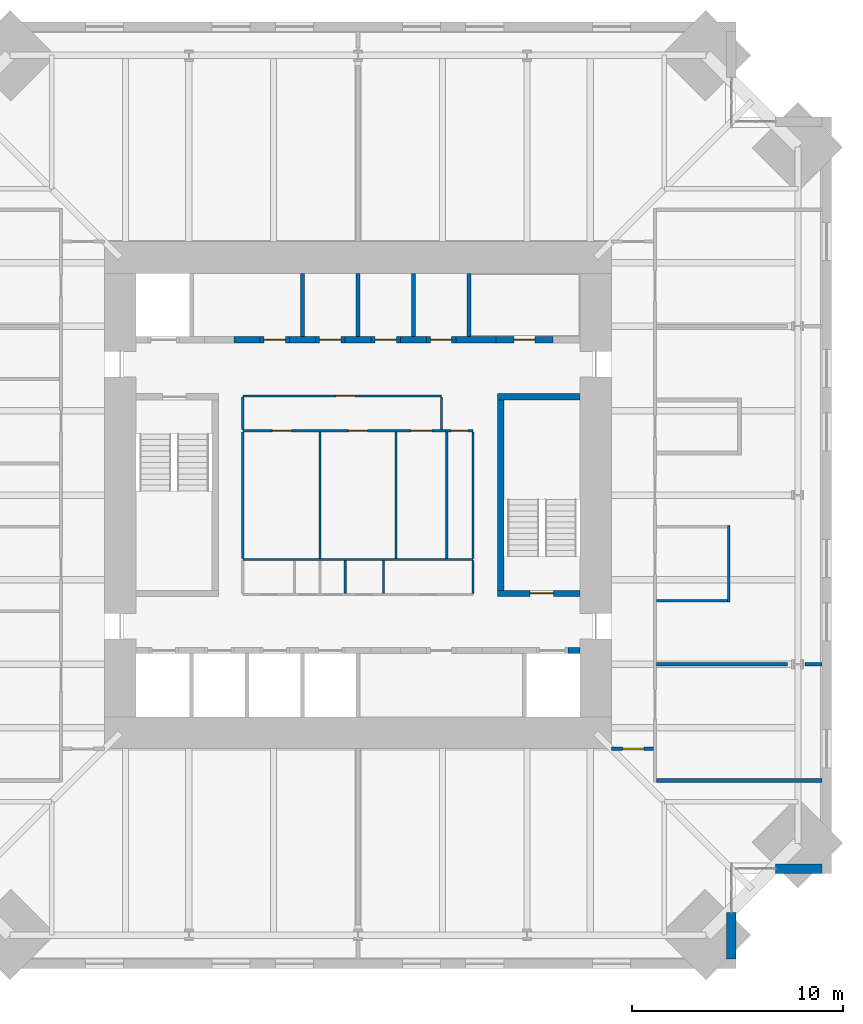
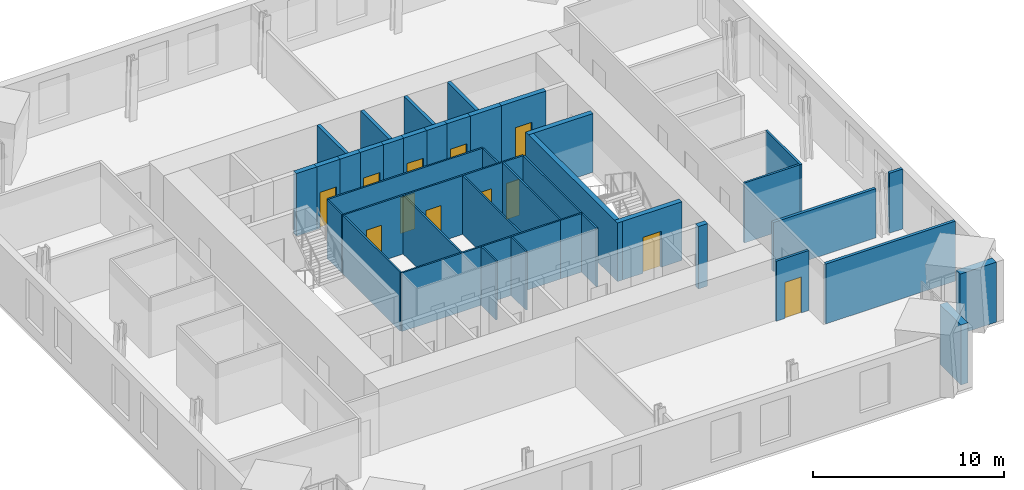
# One storey, part 15 of 18: 41 walls, 12 doors, 12 openings.
"""IFC4 building model written with IfcOpenShell, lengths in metres."""

from ifc_helpers import new_model, si_unit, direction, frame, frame_2d, origin, place, context, subcontext, project, spatial, rectangle, extrude, material, layer, layer_set, type_object, element, fill, save


model = new_model("IFC4")

# Units and contexts
model_context = context("Model", 3, precision=1e-05, world=origin(), true_north=direction((0.0, 1.0)))
body_context = subcontext(model_context, "Body", "Model", "MODEL_VIEW")
ifc_project = project(units=[si_unit("LENGTHUNIT", "METRE"), si_unit("AREAUNIT", "SQUARE_METRE"), si_unit("VOLUMEUNIT", "CUBIC_METRE"), si_unit("PLANEANGLEUNIT", "RADIAN"), si_unit("MASSUNIT", "GRAM", prefix="KILO")], contexts=[model_context])

# Site, building, storey
site_placement = place(None, origin())
site = spatial("IfcSite", under=ifc_project, at=site_placement, CompositionType="ELEMENT")
building_placement = place(site_placement, origin())
building = spatial("IfcBuilding", under=site, at=building_placement, Name="Peilmerk Tower", CompositionType="ELEMENT")
storey_placement = place(building_placement, frame((0.0, 0.0, 249.800048828125)))
storey = spatial("IfcBuildingStorey", under=building, at=storey_placement, Name="L55", CompositionType="ELEMENT", Elevation=249.800048828125)

# Walls
ifc_material_1 = material(Name="Precast concrete C45/55, board-marked finish", Category="concrete")
ifc_layer_1 = layer(ifc_material_1, 0.449951171875)
ifc_layer_set_1 = layer_set([ifc_layer_1], Name="Precast concrete C45/55, board-marked finish")
wall_type_1 = type_object("IfcWallType", Name="EW1 450 precast concrete facade wall, board-marked", PredefinedType="SOLIDWALL", material=ifc_layer_set_1)
for number, where, z_axis, x_axis, name in (
    (1, (17.675048828125, -19.753662109375, 0.0), (0.0, 0.0, 1.0), (0.0, -1.0, 0.0), "Facade wall SEA L55"),
    (2, (19.753662109375, -17.675048828125, 0.0), (0.0, 0.0, 1.0), (1.0, 0.0, 0.0), "Facade wall SEB L55"),
):
    element("IfcWall", number, at=place(storey_placement, frame(where, z_axis=z_axis, x_axis=x_axis)), inside=storey, type_object=wall_type_1, Name=name, PredefinedType="SOLIDWALL", context=body_context, shape_type="SweptSolid", body=[
        extrude(rectangle(XDim=2.1962890625, YDim=0.449951171875, at=frame_2d((1.09814453125, 0.0))), origin(), (0.0, 0.0, 1.0), 3.829833984375),
    ])

# Wall, opening, door
ifc_material_2 = material(Name="Calcium silicate block", Category="masonry")
ifc_layer_2 = layer(ifc_material_2, 0.14990234375)
ifc_layer_set_2 = layer_set([ifc_layer_2], Name="Calcium silicate block")
wall_type_2 = type_object("IfcWallType", Name="IW1 150 corridor partition, EI 60", PredefinedType="PARTITIONING", material=ifc_layer_set_2)
wall_1_placement = place(storey_placement, frame((13.97509765625, -12.0, 0.0), z_axis=(0.0, 0.0, 1.0), x_axis=(-1.0, 0.0, 0.0)))
wall_1 = element("IfcWall", 3, at=wall_1_placement, inside=storey, type_object=wall_type_2, Name="Corridor wall SE L55", PredefinedType="PARTITIONING", context=body_context, shape_type="SweptSolid", body=[
    extrude(rectangle(XDim=1.97509765625, YDim=0.14990234375, at=frame_2d((0.987548828125, 0.0))), origin(), (0.0, 0.0, 1.0), 3.829833984375),
])
opening_1_placement = place(wall_1_placement, frame((0.449951171875, 0.0, 0.0)))
opening_1 = element("IfcOpeningElement", 4, at=opening_1_placement, cuts=wall_1, Name="Opening D1", PredefinedType="OPENING", context=body_context, shape_type="SweptSolid", body=[
    extrude(rectangle(XDim=1.0, YDim=2.300048828125, at=frame_2d((0.5, 1.14990234375))), frame((0.0, 0.0849609375, 0.0), z_axis=(0.0, -1.0, 0.0), x_axis=(1.0, 0.0, 0.0)), (0.0, 0.0, 1.0), 0.169921875),
])
ifc_material_3 = material(Name="Timber door in steel frame", Category="steel")
door_type_1 = type_object("IfcDoorType", Name="D1 1000x2300 room door, EI2 30", OperationType="SINGLE_SWING_LEFT", PredefinedType="DOOR", material=ifc_material_3)
door_1_placement = place(opening_1_placement, origin())
door_1 = element("IfcDoor", 5, at=door_1_placement, inside=storey, type_object=door_type_1, Name="Door Tenant suite L55", OperationType="SINGLE_SWING_LEFT", OverallHeight=2.300048828125, OverallWidth=1.0, PredefinedType="DOOR", context=body_context, shape_type="SweptSolid", body=[
    extrude(rectangle(XDim=1.0, YDim=2.300048828125, at=frame_2d((0.5, 1.14990234375))), frame((0.0, 0.02490234375, 0.0), z_axis=(0.0, -1.0, 0.0), x_axis=(1.0, 0.0, 0.0)), (0.0, 0.0, 1.0), 0.050048828125),
])
fill(opening_1, door_1)

# Walls
ifc_material_4 = material(Name="Concrete C35/45", Category="concrete")
ifc_layer_3 = layer(ifc_material_4, 0.300048828125)
ifc_layer_set_3 = layer_set([ifc_layer_3], Name="Concrete C35/45")
wall_type_3 = type_object("IfcWallType", Name="IW3 300 concrete stair enclosure wall, EI 120", PredefinedType="SOLIDWALL", material=ifc_layer_set_3)
wall_2_placement = place(storey_placement, frame((6.75, -4.800048828125, 0.0), z_axis=(0.0, 0.0, 1.0), x_axis=(0.0, 1.0, 0.0)))
element("IfcWall", 6, at=wall_2_placement, inside=storey, type_object=wall_type_3, Name="Stair 2 enclosure L55", PredefinedType="SOLIDWALL", context=body_context, shape_type="SweptSolid", body=[
    extrude(rectangle(XDim=9.60009765625, YDim=0.300048828125, at=frame_2d((4.800048828125, 0.0))), origin(), (0.0, 0.0, 1.0), 3.75),
])
wall_3_placement = place(storey_placement, frame((6.60009765625, 4.64990234375, 0.0), z_axis=(0.0, 0.0, 1.0), x_axis=(1.0, 0.0, 0.0)))
element("IfcWall", 7, at=wall_3_placement, inside=storey, type_object=wall_type_3, Name="Stair 2 enclosure L55", PredefinedType="SOLIDWALL", context=body_context, shape_type="SweptSolid", body=[
    extrude(rectangle(XDim=3.89990234375, YDim=0.300048828125, at=frame_2d((1.949951171875, 0.0))), origin(), (0.0, 0.0, 1.0), 3.75),
])

# Wall, opening, door
wall_4_placement = place(storey_placement, frame((10.5, -4.64990234375, 0.0), z_axis=(0.0, 0.0, 1.0), x_axis=(-1.0, 0.0, 0.0)))
wall_4 = element("IfcWall", 8, at=wall_4_placement, inside=storey, type_object=wall_type_3, Name="Stair 2 enclosure L55", PredefinedType="SOLIDWALL", context=body_context, shape_type="SweptSolid", body=[
    extrude(rectangle(XDim=3.89990234375, YDim=0.300048828125, at=frame_2d((1.949951171875, 0.0))), origin(), (0.0, 0.0, 1.0), 3.75),
])
opening_2_placement = place(wall_4_placement, frame((1.25, 0.0, 0.0)))
opening_2 = element("IfcOpeningElement", 9, at=opening_2_placement, cuts=wall_4, Name="Opening D4", PredefinedType="OPENING", context=body_context, shape_type="SweptSolid", body=[
    extrude(rectangle(XDim=1.10009765625, YDim=2.300048828125, at=frame_2d((0.550048828125, 1.14990234375))), frame((0.0, 0.159912109375, 0.0), z_axis=(0.0, -1.0, 0.0), x_axis=(1.0, 0.0, 0.0)), (0.0, 0.0, 1.0), 0.320068359375),
])
ifc_material_5 = material(Name="Steel door in steel frame", Category="steel")
door_type_2 = type_object("IfcDoorType", Name="D4 1100x2300 stair door, EI2 60", OperationType="SINGLE_SWING_RIGHT", PredefinedType="DOOR", material=ifc_material_5)
door_2_placement = place(opening_2_placement, frame((1.10009765625, 0.0, 0.0), z_axis=(0.0, 0.0, 1.0), x_axis=(-1.0, 0.0, 0.0)))
door_2 = element("IfcDoor", 10, at=door_2_placement, inside=storey, type_object=door_type_2, Name="Stair 2 door L55", OperationType="SINGLE_SWING_RIGHT", OverallHeight=2.300048828125, OverallWidth=1.10009765625, PredefinedType="DOOR", context=body_context, shape_type="SweptSolid", body=[
    extrude(rectangle(XDim=1.10009765625, YDim=2.300048828125, at=frame_2d((0.550048828125, 1.14990234375))), frame((0.0, 0.02490234375, 0.0), z_axis=(0.0, -1.0, 0.0), x_axis=(1.0, 0.0, 0.0)), (0.0, 0.0, 1.0), 0.050048828125),
])
fill(opening_2, door_2)

# Wall, openings, doors
ifc_material_6 = material(Name="Plasterboard on steel studs", Category="steel")
ifc_layer_4 = layer(ifc_material_6, 0.10009765625)
ifc_layer_set_4 = layer_set([ifc_layer_4], Name="Plasterboard on steel studs")
wall_type_4 = type_object("IfcWallType", Name="IW4 100 WC partition", PredefinedType="PARTITIONING", material=ifc_layer_set_4)
wall_5_placement = place(storey_placement, frame((-5.449951171875, 3.050048828125, 0.0), z_axis=(0.0, 0.0, 1.0), x_axis=(1.0, 0.0, 0.0)))
wall_5 = element("IfcWall", 11, at=wall_5_placement, inside=storey, type_object=wall_type_4, Name="WC wall L55", PredefinedType="PARTITIONING", context=body_context, shape_type="SweptSolid", body=[
    extrude(rectangle(XDim=9.599853515625, YDim=0.10009765625, at=frame_2d((4.7998046875, 0.0))), origin(), (0.0, 0.0, 1.0), 3.75),
])
opening_3_placement = place(wall_5_placement, frame((1.39990234375, 0.0, 0.0)))
opening_3 = element("IfcOpeningElement", 12, at=opening_3_placement, cuts=wall_5, Name="Opening D5", PredefinedType="OPENING", context=body_context, shape_type="SweptSolid", body=[
    extrude(rectangle(XDim=0.89990234375, YDim=2.300048828125, at=frame_2d((0.449951171875, 1.14990234375))), frame((0.0, 0.06005859375, 0.0), z_axis=(0.0, -1.0, 0.0), x_axis=(1.0, 0.0, 0.0)), (0.0, 0.0, 1.0), 0.1201171875),
])
opening_4_placement = place(wall_5_placement, frame((5.0, 0.0, 0.0)))
opening_4 = element("IfcOpeningElement", 13, at=opening_4_placement, cuts=wall_5, Name="Opening D5", PredefinedType="OPENING", context=body_context, shape_type="SweptSolid", body=[
    extrude(rectangle(XDim=0.89990234375, YDim=2.300048828125, at=frame_2d((0.449951171875, 1.14990234375))), frame((0.0, 0.06005859375, 0.0), z_axis=(0.0, -1.0, 0.0), x_axis=(1.0, 0.0, 0.0)), (0.0, 0.0, 1.0), 0.1201171875),
])
opening_5_placement = place(wall_5_placement, frame((7.949951171875, 0.0, 0.0)))
opening_5 = element("IfcOpeningElement", 14, at=opening_5_placement, cuts=wall_5, Name="Opening D6", PredefinedType="OPENING", context=body_context, shape_type="SweptSolid", body=[
    extrude(rectangle(XDim=1.0, YDim=2.300048828125, at=frame_2d((0.5, 1.14990234375))), frame((0.0, 0.06005859375, 0.0), z_axis=(0.0, -1.0, 0.0), x_axis=(1.0, 0.0, 0.0)), (0.0, 0.0, 1.0), 0.1201171875),
])
door_type_3 = type_object("IfcDoorType", Name="D5 900x2300 WC door", OperationType="SINGLE_SWING_LEFT", PredefinedType="DOOR", material=ifc_material_3)
door_3_placement = place(opening_3_placement, frame((0.89990234375, 0.0, 0.0), z_axis=(0.0, 0.0, 1.0), x_axis=(-1.0, 0.0, 0.0)))
door_3 = element("IfcDoor", 15, at=door_3_placement, inside=storey, type_object=door_type_3, Name="Male toilets door L55", OperationType="SINGLE_SWING_LEFT", OverallHeight=2.300048828125, OverallWidth=0.89990234375, PredefinedType="DOOR", context=body_context, shape_type="SweptSolid", body=[
    extrude(rectangle(XDim=0.89990234375, YDim=2.300048828125, at=frame_2d((0.449951171875, 1.14990234375))), frame((0.0, 0.02490234375, 0.0), z_axis=(0.0, -1.0, 0.0), x_axis=(1.0, 0.0, 0.0)), (0.0, 0.0, 1.0), 0.050048828125),
])
fill(opening_3, door_3)
door_4_placement = place(opening_4_placement, frame((0.89990234375, 0.0, 0.0), z_axis=(0.0, 0.0, 1.0), x_axis=(-1.0, 0.0, 0.0)))
door_4 = element("IfcDoor", 16, at=door_4_placement, inside=storey, type_object=door_type_3, Name="Female toilets door L55", OperationType="SINGLE_SWING_LEFT", OverallHeight=2.300048828125, OverallWidth=0.89990234375, PredefinedType="DOOR", context=body_context, shape_type="SweptSolid", body=[
    extrude(rectangle(XDim=0.89990234375, YDim=2.300048828125, at=frame_2d((0.449951171875, 1.14990234375))), frame((0.0, 0.02490234375, 0.0), z_axis=(0.0, -1.0, 0.0), x_axis=(1.0, 0.0, 0.0)), (0.0, 0.0, 1.0), 0.050048828125),
])
fill(opening_4, door_4)
door_type_4 = type_object("IfcDoorType", Name="D6 1000x2300 accessible WC door", OperationType="SLIDING_TO_LEFT", PredefinedType="DOOR", material=ifc_material_3)
door_5_placement = place(opening_5_placement, frame((1.0, 0.0, 0.0), z_axis=(0.0, 0.0, 1.0), x_axis=(-1.0, 0.0, 0.0)))
door_5 = element("IfcDoor", 17, at=door_5_placement, inside=storey, type_object=door_type_4, Name="Accessible WC door L55", OperationType="SLIDING_TO_LEFT", OverallHeight=2.300048828125, OverallWidth=1.0, PredefinedType="DOOR", context=body_context, shape_type="SweptSolid", body=[
    extrude(rectangle(XDim=1.0, YDim=2.300048828125, at=frame_2d((0.5, 1.14990234375))), frame((0.0, 0.02490234375, 0.0), z_axis=(0.0, -1.0, 0.0), x_axis=(1.0, 0.0, 0.0)), (0.0, 0.0, 1.0), 0.050048828125),
])
fill(opening_5, door_5)

# Walls
wall_6_placement = place(storey_placement, frame((4.14990234375, -3.050048828125, 0.0), z_axis=(0.0, 0.0, 1.0), x_axis=(-1.0, 0.0, 0.0)))
element("IfcWall", 18, at=wall_6_placement, inside=storey, type_object=wall_type_4, Name="WC wall L55", PredefinedType="PARTITIONING", context=body_context, shape_type="SweptSolid", body=[
    extrude(rectangle(XDim=9.599853515625, YDim=0.10009765625, at=frame_2d((4.7998046875, 0.0))), origin(), (0.0, 0.0, 1.0), 3.75),
])
for number, where, z_axis, x_axis, name in (
    (19, (-5.449951171875, -3.0, 0.0), (0.0, 0.0, 1.0), (0.0, 1.0, 0.0), "WC wall L55"),
    (20, (-1.800048828125, -3.0, 0.0), (0.0, 0.0, 1.0), (0.0, 1.0, 0.0), "WC wall L55"),
    (21, (1.800048828125, -3.0, 0.0), (0.0, 0.0, 1.0), (0.0, 1.0, 0.0), "WC wall L55"),
):
    element("IfcWall", number, at=place(storey_placement, frame(where, z_axis=z_axis, x_axis=x_axis)), inside=storey, type_object=wall_type_4, Name=name, PredefinedType="PARTITIONING", context=body_context, shape_type="SweptSolid", body=[
        extrude(rectangle(XDim=6.0, YDim=0.10009765625, at=frame_2d((3.0, 0.0))), origin(), (0.0, 0.0, 1.0), 3.75),
    ])

# Wall, opening, door
ifc_material_7 = material(Name="Calcium silicate board on steel studs", Category="steel")
ifc_layer_5 = layer(ifc_material_7, 0.10009765625)
ifc_layer_set_5 = layer_set([ifc_layer_5], Name="Calcium silicate board on steel studs")
wall_type_5 = type_object("IfcWallType", Name="IW5 100 riser enclosure wall, EI 60", PredefinedType="PARTITIONING", material=ifc_layer_set_5)
wall_7_placement = place(storey_placement, frame((4.14990234375, 3.050048828125, 0.0), z_axis=(0.0, 0.0, 1.0), x_axis=(1.0, 0.0, 0.0)))
wall_7 = element("IfcWall", 22, at=wall_7_placement, inside=storey, type_object=wall_type_5, Name="Riser wall L55", PredefinedType="PARTITIONING", context=body_context, shape_type="SweptSolid", body=[
    extrude(rectangle(XDim=1.300048828125, YDim=0.10009765625, at=frame_2d((0.64990234375, 0.0))), origin(), (0.0, 0.0, 1.0), 3.75),
])
opening_6_placement = place(wall_7_placement, frame((0.25, 0.0, 0.0)))
opening_6 = element("IfcOpeningElement", 23, at=opening_6_placement, cuts=wall_7, Name="Opening D7", PredefinedType="OPENING", context=body_context, shape_type="SweptSolid", body=[
    extrude(rectangle(XDim=0.800048828125, YDim=2.300048828125, at=frame_2d((0.39990234375, 1.14990234375))), frame((0.0, 0.06005859375, 0.0), z_axis=(0.0, -1.0, 0.0), x_axis=(1.0, 0.0, 0.0)), (0.0, 0.0, 1.0), 0.1201171875),
])
door_type_5 = type_object("IfcDoorType", Name="D7 800x2300 riser access door, EI2 60", OperationType="SINGLE_SWING_RIGHT", PredefinedType="DOOR", material=ifc_material_5)
door_6_placement = place(opening_6_placement, frame((0.800048828125, 0.0, 0.0), z_axis=(0.0, 0.0, 1.0), x_axis=(-1.0, 0.0, 0.0)))
door_6 = element("IfcDoor", 24, at=door_6_placement, inside=storey, type_object=door_type_5, Name="Plumbing riser door L55", OperationType="SINGLE_SWING_RIGHT", OverallHeight=2.300048828125, OverallWidth=0.800048828125, PredefinedType="DOOR", context=body_context, shape_type="SweptSolid", body=[
    extrude(rectangle(XDim=0.800048828125, YDim=2.300048828125, at=frame_2d((0.39990234375, 1.14990234375))), frame((0.0, 0.02490234375, 0.0), z_axis=(0.0, -1.0, 0.0), x_axis=(1.0, 0.0, 0.0)), (0.0, 0.0, 1.0), 0.050048828125),
])
fill(opening_6, door_6)

# Walls
wall_8_placement = place(storey_placement, frame((5.449951171875, -3.050048828125, 0.0), z_axis=(0.0, 0.0, 1.0), x_axis=(-1.0, 0.0, 0.0)))
element("IfcWall", 25, at=wall_8_placement, inside=storey, type_object=wall_type_5, Name="Riser wall L55", PredefinedType="PARTITIONING", context=body_context, shape_type="SweptSolid", body=[
    extrude(rectangle(XDim=1.300048828125, YDim=0.10009765625, at=frame_2d((0.64990234375, 0.0))), origin(), (0.0, 0.0, 1.0), 3.75),
])
for number, where, z_axis, x_axis, name in (
    (26, (5.449951171875, 3.0, 0.0), (0.0, 0.0, 1.0), (0.0, -1.0, 0.0), "Riser wall L55"),
    (27, (4.199951171875, -3.0, 0.0), (0.0, 0.0, 1.0), (0.0, 1.0, 0.0), "Riser wall L55"),
):
    element("IfcWall", number, at=place(storey_placement, frame(where, z_axis=z_axis, x_axis=x_axis)), inside=storey, type_object=wall_type_5, Name=name, PredefinedType="PARTITIONING", context=body_context, shape_type="SweptSolid", body=[
        extrude(rectangle(XDim=6.0, YDim=0.10009765625, at=frame_2d((3.0, 0.0))), origin(), (0.0, 0.0, 1.0), 3.75),
    ])
for number, where, z_axis, x_axis, name in (
    (28, (5.449951171875, -3.10009765625, 0.0), (0.0, 0.0, 1.0), (0.0, -1.0, 0.0), "Riser wall L55"),
    (29, (-0.60009765625, -3.10009765625, 0.0), (0.0, 0.0, 1.0), (0.0, -1.0, 0.0), "Riser wall L55"),
    (30, (1.199951171875, -3.10009765625, 0.0), (0.0, 0.0, 1.0), (0.0, -1.0, 0.0), "Riser wall L55"),
):
    element("IfcWall", number, at=place(storey_placement, frame(where, z_axis=z_axis, x_axis=x_axis)), inside=storey, type_object=wall_type_5, Name=name, PredefinedType="PARTITIONING", context=body_context, shape_type="SweptSolid", body=[
        extrude(rectangle(XDim=1.5498046875, YDim=0.10009765625, at=frame_2d((0.77490234375, 0.0))), origin(), (0.0, 0.0, 1.0), 3.75),
    ])
ifc_material_8 = material(Name="Plasterboard on steel studs, double boarded with mineral wool", Category="steel")
ifc_layer_6 = layer(ifc_material_8, 0.125)
ifc_layer_set_6 = layer_set([ifc_layer_6], Name="Plasterboard on steel studs, double boarded with mineral wool")
wall_type_6 = type_object("IfcWallType", Name="IW7 125 acoustic partition, EI 30", PredefinedType="PARTITIONING", material=ifc_layer_set_6)
wall_9_placement = place(storey_placement, frame((17.550048828125, -5.0625, 0.0), z_axis=(0.0, 0.0, 1.0), x_axis=(0.0, 1.0, 0.0)))
element("IfcWall", 31, at=wall_9_placement, inside=storey, type_object=wall_type_6, Name="Acoustic partition Pantry L55", PredefinedType="PARTITIONING", context=body_context, shape_type="SweptSolid", body=[
    extrude(rectangle(XDim=3.625, YDim=0.125, at=frame_2d((1.8125, 0.0))), origin(), (0.0, 0.0, 1.0), 3.829833984375),
])
wall_10_placement = place(storey_placement, frame((14.125, -5.0, 0.0), z_axis=(0.0, 0.0, 1.0), x_axis=(1.0, 0.0, 0.0)))
element("IfcWall", 32, at=wall_10_placement, inside=storey, type_object=wall_type_6, Name="Acoustic partition Pantry L55", PredefinedType="PARTITIONING", context=body_context, shape_type="SweptSolid", body=[
    extrude(rectangle(XDim=3.362548828125, YDim=0.125, at=frame_2d((1.68115234375, 0.0))), origin(), (0.0, 0.0, 1.0), 3.829833984375),
])
ifc_layer_7 = layer(ifc_material_2, 0.175048828125)
ifc_layer_set_7 = layer_set([ifc_layer_7], Name="Calcium silicate block")
wall_type_7 = type_object("IfcWallType", Name="IW8 175 tenant separating wall, EI 60", PredefinedType="PARTITIONING", material=ifc_layer_set_7)
wall_11_placement = place(storey_placement, frame((21.949951171875, -13.5, 0.0), z_axis=(0.0, 0.0, 1.0), x_axis=(-1.0, 0.0, 0.0)))
element("IfcWall", 33, at=wall_11_placement, inside=storey, type_object=wall_type_7, Name="Tenant separating wall SE L55", PredefinedType="PARTITIONING", context=body_context, shape_type="SweptSolid", body=[
    extrude(rectangle(XDim=7.824951171875, YDim=0.175048828125, at=frame_2d((3.91259765625, 0.0))), origin(), (0.0, 0.0, 1.0), 3.829833984375),
])
wall_12_placement = place(storey_placement, frame((14.125, -8.0, 0.0), z_axis=(0.0, 0.0, 1.0), x_axis=(1.0, 0.0, 0.0)))
element("IfcWall", 34, at=wall_12_placement, inside=storey, type_object=wall_type_7, Name="Tenant separating wall E1 L55", PredefinedType="PARTITIONING", context=body_context, shape_type="SweptSolid", body=[
    extrude(rectangle(XDim=6.208251953125, YDim=0.175048828125, at=frame_2d((3.10400390625, 0.0))), origin(), (0.0, 0.0, 1.0), 3.139892578125),
])
wall_13_placement = place(storey_placement, frame((21.15380859375, -8.0, 0.0), z_axis=(0.0, 0.0, 1.0), x_axis=(1.0, 0.0, 0.0)))
element("IfcWall", 35, at=wall_13_placement, inside=storey, type_object=wall_type_7, Name="Tenant separating wall E1b L55", PredefinedType="PARTITIONING", context=body_context, shape_type="SweptSolid", body=[
    extrude(rectangle(XDim=0.796142578125, YDim=0.175048828125, at=frame_2d((0.39794921875, 0.0))), origin(), (0.0, 0.0, 1.0), 3.829833984375),
])

# Wall, opening, door
ifc_material_9 = material(Name="Fire-resisting plasterboard on steel studs", Category="steel")
ifc_layer_8 = layer(ifc_material_9, 0.10009765625)
ifc_layer_set_8 = layer_set([ifc_layer_8], Name="Fire-resisting plasterboard on steel studs")
wall_type_8 = type_object("IfcWallType", Name="IW9 100 WC lobby wall, EI 30", PredefinedType="PARTITIONING", material=ifc_layer_set_8)
wall_14_placement = place(storey_placement, frame((-5.449951171875, 4.699951171875, 0.0), z_axis=(0.0, 0.0, 1.0), x_axis=(1.0, 0.0, 0.0)))
wall_14 = element("IfcWall", 36, at=wall_14_placement, inside=storey, type_object=wall_type_8, Name="WC lobby wall L55", PredefinedType="PARTITIONING", context=body_context, shape_type="SweptSolid", body=[
    extrude(rectangle(XDim=9.39990234375, YDim=0.10009765625, at=frame_2d((4.699951171875, 0.0))), origin(), (0.0, 0.0, 1.0), 3.75),
])
opening_7_placement = place(wall_14_placement, frame((4.39990234375, 0.0, 0.0)))
opening_7 = element("IfcOpeningElement", 37, at=opening_7_placement, cuts=wall_14, Name="Opening D11", PredefinedType="OPENING", context=body_context, shape_type="SweptSolid", body=[
    extrude(rectangle(XDim=0.89990234375, YDim=2.300048828125, at=frame_2d((0.449951171875, 1.14990234375))), frame((0.0, 0.06005859375, 0.0), z_axis=(0.0, -1.0, 0.0), x_axis=(1.0, 0.0, 0.0)), (0.0, 0.0, 1.0), 0.1201171875),
])
door_type_6 = type_object("IfcDoorType", Name="D11 900x2300 WC lobby door, EI2 30", OperationType="SINGLE_SWING_LEFT", PredefinedType="DOOR", material=ifc_material_3)
door_7_placement = place(opening_7_placement, frame((0.89990234375, 0.0, 0.0), z_axis=(0.0, 0.0, 1.0), x_axis=(-1.0, 0.0, 0.0)))
door_7 = element("IfcDoor", 38, at=door_7_placement, inside=storey, type_object=door_type_6, Name="WC lobby door L55", OperationType="SINGLE_SWING_LEFT", OverallHeight=2.300048828125, OverallWidth=0.89990234375, PredefinedType="DOOR", context=body_context, shape_type="SweptSolid", body=[
    extrude(rectangle(XDim=0.89990234375, YDim=2.300048828125, at=frame_2d((0.449951171875, 1.14990234375))), frame((0.0, 0.02490234375, 0.0), z_axis=(0.0, -1.0, 0.0), x_axis=(1.0, 0.0, 0.0)), (0.0, 0.0, 1.0), 0.050048828125),
])
fill(opening_7, door_7)

# Walls
for number, where, z_axis, x_axis, name in (
    (39, (-5.449951171875, 3.10009765625, 0.0), (0.0, 0.0, 1.0), (0.0, 1.0, 0.0), "WC lobby wall L55"),
    (40, (3.949951171875, 3.10009765625, 0.0), (0.0, 0.0, 1.0), (0.0, 1.0, 0.0), "WC lobby wall L55"),
):
    element("IfcWall", number, at=place(storey_placement, frame(where, z_axis=z_axis, x_axis=x_axis)), inside=storey, type_object=wall_type_8, Name=name, PredefinedType="PARTITIONING", context=body_context, shape_type="SweptSolid", body=[
        extrude(rectangle(XDim=1.5498046875, YDim=0.10009765625, at=frame_2d((0.77490234375, 0.0))), origin(), (0.0, 0.0, 1.0), 3.75),
    ])
ifc_layer_9 = layer(ifc_material_2, 0.199951171875)
ifc_layer_set_9 = layer_set([ifc_layer_9], Name="Calcium silicate block")
wall_type_9 = type_object("IfcWallType", Name="SH1 200 shaft dividing wall, EI 120", PredefinedType="PARTITIONING", material=ifc_layer_set_9)
for number, where, z_axis, x_axis, name in (
    (41, (-2.625, 7.5, 0.0), (0.0, 0.0, 1.0), (0.0, 1.0, 0.0), "Shaft wall N A2 L55"),
    (42, (0.0, 7.5, 0.0), (0.0, 0.0, 1.0), (0.0, 1.0, 0.0), "Shaft wall N A3 L55"),
    (43, (2.625, 7.5, 0.0), (0.0, 0.0, 1.0), (0.0, 1.0, 0.0), "Shaft wall N S1 L55"),
    (44, (5.25, 7.5, 0.0), (0.0, 0.0, 1.0), (0.0, 1.0, 0.0), "Shaft wall N S2 L55"),
):
    element("IfcWall", number, at=place(storey_placement, frame(where, z_axis=z_axis, x_axis=x_axis)), inside=storey, type_object=wall_type_9, Name=name, PredefinedType="PARTITIONING", context=body_context, shape_type="SweptSolid", body=[
        extrude(rectangle(XDim=3.0, YDim=0.199951171875, at=frame_2d((1.5, 0.0))), origin(), (0.0, 0.0, 1.0), 4.0),
    ])

# Wall, opening, door
ifc_layer_10 = layer(ifc_material_2, 0.300048828125)
ifc_layer_set_10 = layer_set([ifc_layer_10], Name="Calcium silicate block")
wall_type_10 = type_object("IfcWallType", Name="SH2 300 lift landing door panel, EI 120", PredefinedType="PARTITIONING", material=ifc_layer_set_10)
wall_15_placement = place(storey_placement, frame((-4.637451171875, 7.35009765625, 0.0), z_axis=(0.0, 0.0, 1.0), x_axis=(1.0, 0.0, 0.0)))
wall_15 = element("IfcWall", 45, at=wall_15_placement, inside=storey, type_object=wall_type_10, Name="Lift door panel N A2 L55", PredefinedType="PARTITIONING", context=body_context, shape_type="SweptSolid", body=[
    extrude(rectangle(XDim=1.39990234375, YDim=0.300048828125, at=frame_2d((0.699951171875, 0.0))), origin(), (0.0, 0.0, 1.0), 4.0),
])
opening_8_placement = place(wall_15_placement, frame((0.199951171875, 0.0, 0.0)))
opening_8 = element("IfcOpeningElement", 46, at=opening_8_placement, cuts=wall_15, Name="Opening D10", PredefinedType="OPENING", context=body_context, shape_type="SweptSolid", body=[
    extrude(rectangle(XDim=1.0, YDim=2.300048828125, at=frame_2d((0.5, 1.14990234375))), frame((0.0, 0.159912109375, 0.0), z_axis=(0.0, -1.0, 0.0), x_axis=(1.0, 0.0, 0.0)), (0.0, 0.0, 1.0), 0.320068359375),
])
door_type_7 = type_object("IfcDoorType", Name="D10 1000x2300 core room door, EI2 60", OperationType="SINGLE_SWING_RIGHT", PredefinedType="DOOR", material=ifc_material_5)
door_8_placement = place(opening_8_placement, origin())
door_8 = element("IfcDoor", 47, at=door_8_placement, inside=storey, type_object=door_type_7, Name="Door Staff room L55", OperationType="SINGLE_SWING_RIGHT", OverallHeight=2.300048828125, OverallWidth=1.0, PredefinedType="DOOR", context=body_context, shape_type="SweptSolid", body=[
    extrude(rectangle(XDim=1.0, YDim=2.300048828125, at=frame_2d((0.5, 1.14990234375))), frame((0.0, 0.02490234375, 0.0), z_axis=(0.0, -1.0, 0.0), x_axis=(1.0, 0.0, 0.0)), (0.0, 0.0, 1.0), 0.050048828125),
])
fill(opening_8, door_8)

wall_16_placement = place(storey_placement, frame((-2.012451171875, 7.35009765625, 0.0), z_axis=(0.0, 0.0, 1.0), x_axis=(1.0, 0.0, 0.0)))
wall_16 = element("IfcWall", 48, at=wall_16_placement, inside=storey, type_object=wall_type_10, Name="Lift door panel N A3 L55", PredefinedType="PARTITIONING", context=body_context, shape_type="SweptSolid", body=[
    extrude(rectangle(XDim=1.39990234375, YDim=0.300048828125, at=frame_2d((0.699951171875, 0.0))), origin(), (0.0, 0.0, 1.0), 4.0),
])
opening_9_placement = place(wall_16_placement, frame((0.199951171875, 0.0, 0.0)))
opening_9 = element("IfcOpeningElement", 49, at=opening_9_placement, cuts=wall_16, Name="Opening D10", PredefinedType="OPENING", context=body_context, shape_type="SweptSolid", body=[
    extrude(rectangle(XDim=1.0, YDim=2.300048828125, at=frame_2d((0.5, 1.14990234375))), frame((0.0, 0.159912109375, 0.0), z_axis=(0.0, -1.0, 0.0), x_axis=(1.0, 0.0, 0.0)), (0.0, 0.0, 1.0), 0.320068359375),
])
door_9_placement = place(opening_9_placement, origin())
door_9 = element("IfcDoor", 50, at=door_9_placement, inside=storey, type_object=door_type_7, Name="Door Water meter room L55", OperationType="SINGLE_SWING_RIGHT", OverallHeight=2.300048828125, OverallWidth=1.0, PredefinedType="DOOR", context=body_context, shape_type="SweptSolid", body=[
    extrude(rectangle(XDim=1.0, YDim=2.300048828125, at=frame_2d((0.5, 1.14990234375))), frame((0.0, 0.02490234375, 0.0), z_axis=(0.0, -1.0, 0.0), x_axis=(1.0, 0.0, 0.0)), (0.0, 0.0, 1.0), 0.050048828125),
])
fill(opening_9, door_9)

wall_17_placement = place(storey_placement, frame((0.612548828125, 7.35009765625, 0.0), z_axis=(0.0, 0.0, 1.0), x_axis=(1.0, 0.0, 0.0)))
wall_17 = element("IfcWall", 51, at=wall_17_placement, inside=storey, type_object=wall_type_10, Name="Lift door panel N S1 L55", PredefinedType="PARTITIONING", context=body_context, shape_type="SweptSolid", body=[
    extrude(rectangle(XDim=1.39990234375, YDim=0.300048828125, at=frame_2d((0.699951171875, 0.0))), origin(), (0.0, 0.0, 1.0), 4.0),
])
opening_10_placement = place(wall_17_placement, frame((0.199951171875, 0.0, 0.0)))
opening_10 = element("IfcOpeningElement", 52, at=opening_10_placement, cuts=wall_17, Name="Opening D10", PredefinedType="OPENING", context=body_context, shape_type="SweptSolid", body=[
    extrude(rectangle(XDim=1.0, YDim=2.300048828125, at=frame_2d((0.5, 1.14990234375))), frame((0.0, 0.159912109375, 0.0), z_axis=(0.0, -1.0, 0.0), x_axis=(1.0, 0.0, 0.0)), (0.0, 0.0, 1.0), 0.320068359375),
])
door_10_placement = place(opening_10_placement, origin())
door_10 = element("IfcDoor", 53, at=door_10_placement, inside=storey, type_object=door_type_7, Name="Door Staff WC L55", OperationType="SINGLE_SWING_RIGHT", OverallHeight=2.300048828125, OverallWidth=1.0, PredefinedType="DOOR", context=body_context, shape_type="SweptSolid", body=[
    extrude(rectangle(XDim=1.0, YDim=2.300048828125, at=frame_2d((0.5, 1.14990234375))), frame((0.0, 0.02490234375, 0.0), z_axis=(0.0, -1.0, 0.0), x_axis=(1.0, 0.0, 0.0)), (0.0, 0.0, 1.0), 0.050048828125),
])
fill(opening_10, door_10)

wall_18_placement = place(storey_placement, frame((3.237548828125, 7.35009765625, 0.0), z_axis=(0.0, 0.0, 1.0), x_axis=(1.0, 0.0, 0.0)))
wall_18 = element("IfcWall", 54, at=wall_18_placement, inside=storey, type_object=wall_type_10, Name="Lift door panel N S2 L55", PredefinedType="PARTITIONING", context=body_context, shape_type="SweptSolid", body=[
    extrude(rectangle(XDim=1.39990234375, YDim=0.300048828125, at=frame_2d((0.699951171875, 0.0))), origin(), (0.0, 0.0, 1.0), 4.0),
])
opening_11_placement = place(wall_18_placement, frame((0.199951171875, 0.0, 0.0)))
opening_11 = element("IfcOpeningElement", 55, at=opening_11_placement, cuts=wall_18, Name="Opening D10", PredefinedType="OPENING", context=body_context, shape_type="SweptSolid", body=[
    extrude(rectangle(XDim=1.0, YDim=2.300048828125, at=frame_2d((0.5, 1.14990234375))), frame((0.0, 0.159912109375, 0.0), z_axis=(0.0, -1.0, 0.0), x_axis=(1.0, 0.0, 0.0)), (0.0, 0.0, 1.0), 0.320068359375),
])
door_11_placement = place(opening_11_placement, origin())
door_11 = element("IfcDoor", 56, at=door_11_placement, inside=storey, type_object=door_type_7, Name="Door IT room L55", OperationType="SINGLE_SWING_RIGHT", OverallHeight=2.300048828125, OverallWidth=1.0, PredefinedType="DOOR", context=body_context, shape_type="SweptSolid", body=[
    extrude(rectangle(XDim=1.0, YDim=2.300048828125, at=frame_2d((0.5, 1.14990234375))), frame((0.0, 0.02490234375, 0.0), z_axis=(0.0, -1.0, 0.0), x_axis=(1.0, 0.0, 0.0)), (0.0, 0.0, 1.0), 0.050048828125),
])
fill(opening_11, door_11)

wall_19_placement = place(storey_placement, frame((6.52490234375, 7.35009765625, 0.0), z_axis=(0.0, 0.0, 1.0), x_axis=(1.0, 0.0, 0.0)))
wall_19 = element("IfcWall", 57, at=wall_19_placement, inside=storey, type_object=wall_type_10, Name="Lift door panel N GL1 L55", PredefinedType="PARTITIONING", context=body_context, shape_type="SweptSolid", body=[
    extrude(rectangle(XDim=2.7001953125, YDim=0.300048828125, at=frame_2d((1.35009765625, 0.0))), origin(), (0.0, 0.0, 1.0), 4.0),
])
opening_12_placement = place(wall_19_placement, frame((0.85009765625, 0.0, 0.0)))
opening_12 = element("IfcOpeningElement", 58, at=opening_12_placement, cuts=wall_19, Name="Opening D10", PredefinedType="OPENING", context=body_context, shape_type="SweptSolid", body=[
    extrude(rectangle(XDim=1.0, YDim=2.300048828125, at=frame_2d((0.5, 1.14990234375))), frame((0.0, 0.159912109375, 0.0), z_axis=(0.0, -1.0, 0.0), x_axis=(1.0, 0.0, 0.0)), (0.0, 0.0, 1.0), 0.320068359375),
])
door_12_placement = place(opening_12_placement, origin())
door_12 = element("IfcDoor", 59, at=door_12_placement, inside=storey, type_object=door_type_7, Name="Door Pantry L55", OperationType="SINGLE_SWING_RIGHT", OverallHeight=2.300048828125, OverallWidth=1.0, PredefinedType="DOOR", context=body_context, shape_type="SweptSolid", body=[
    extrude(rectangle(XDim=1.0, YDim=2.300048828125, at=frame_2d((0.5, 1.14990234375))), frame((0.0, 0.02490234375, 0.0), z_axis=(0.0, -1.0, 0.0), x_axis=(1.0, 0.0, 0.0)), (0.0, 0.0, 1.0), 0.050048828125),
])
fill(opening_12, door_12)

# Walls
ifc_material_10 = material(Name="Concrete C55/67", Category="concrete")
ifc_layer_11 = layer(ifc_material_10, 0.300048828125)
ifc_layer_set_11 = layer_set([ifc_layer_11], Name="Concrete C55/67")
wall_type_11 = type_object("IfcWallType", Name="SW2 300 lift bank pier", PredefinedType="SHEAR", material=ifc_layer_set_11)
for number, where, z_axis, x_axis, name in (
    (60, (-5.862548828125, 7.35009765625, 0.0), (0.0, 0.0, 1.0), (1.0, 0.0, 0.0), "Lift bank pier N L55"),
    (61, (-3.237548828125, 7.35009765625, 0.0), (0.0, 0.0, 1.0), (1.0, 0.0, 0.0), "Lift bank pier N L55"),
    (62, (-0.612548828125, 7.35009765625, 0.0), (0.0, 0.0, 1.0), (1.0, 0.0, 0.0), "Lift bank pier N L55"),
    (63, (2.012451171875, 7.35009765625, 0.0), (0.0, 0.0, 1.0), (1.0, 0.0, 0.0), "Lift bank pier N L55"),
):
    element("IfcWall", number, at=place(storey_placement, frame(where, z_axis=z_axis, x_axis=x_axis)), inside=storey, type_object=wall_type_11, Name=name, PredefinedType="SHEAR", context=body_context, shape_type="SweptSolid", body=[
        extrude(rectangle(XDim=1.22509765625, YDim=0.300048828125, at=frame_2d((0.612548828125, 0.0))), origin(), (0.0, 0.0, 1.0), 4.0),
    ])
wall_20_placement = place(storey_placement, frame((4.637451171875, 7.35009765625, 0.0), z_axis=(0.0, 0.0, 1.0), x_axis=(1.0, 0.0, 0.0)))
element("IfcWall", 64, at=wall_20_placement, inside=storey, type_object=wall_type_11, Name="Lift bank pier N L55", PredefinedType="SHEAR", context=body_context, shape_type="SweptSolid", body=[
    extrude(rectangle(XDim=1.887451171875, YDim=0.300048828125, at=frame_2d((0.94384765625, 0.0))), origin(), (0.0, 0.0, 1.0), 4.0),
])
wall_21_placement = place(storey_placement, frame((9.9375, -7.35009765625, 0.0), z_axis=(0.0, 0.0, 1.0), x_axis=(1.0, 0.0, 0.0)))
element("IfcWall", 65, at=wall_21_placement, inside=storey, type_object=wall_type_11, Name="Lift bank pier S L55", PredefinedType="SHEAR", context=body_context, shape_type="SweptSolid", body=[
    extrude(rectangle(XDim=0.5625, YDim=0.300048828125, at=frame_2d((0.28125, 0.0))), origin(), (0.0, 0.0, 1.0), 4.0),
])

save(model, "model.ifc")
